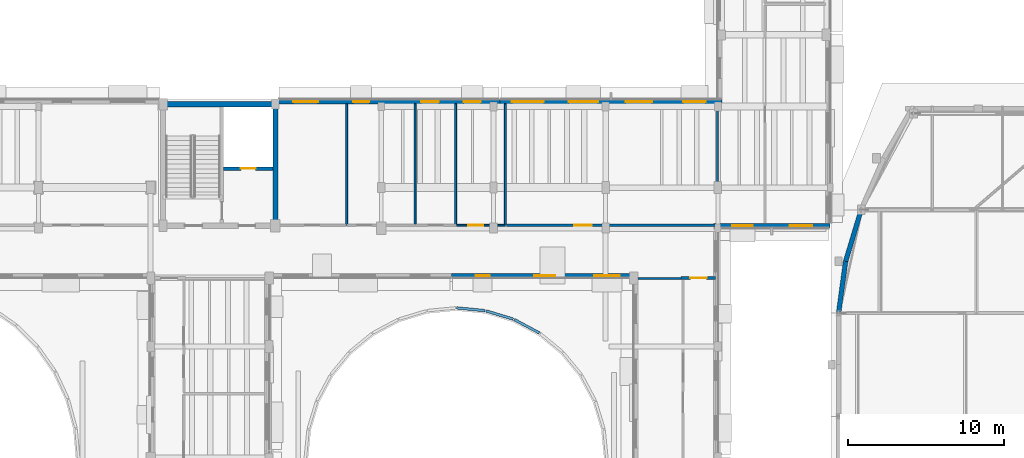
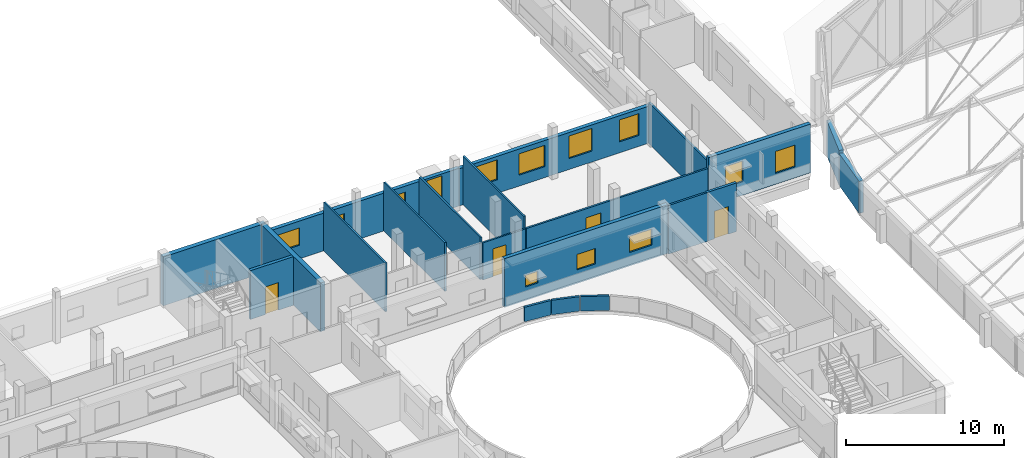
# One storey, part 65 of 78: 21 walls, 13 windows, 4 doors, 17 openings.
"""IFC4 building model written with IfcOpenShell, lengths in metres."""

from ifc_helpers import new_model, si_unit, direction, frame, frame_2d, origin, place, context, subcontext, project, spatial, rectangle, extrude, material, layer, layer_set, type_object, element, fill, save


model = new_model("IFC4")

# Units and contexts
model_context = context("Model", 3, precision=1e-05, world=origin(), true_north=direction((0.0, 1.0)))
body_context = subcontext(model_context, "Body", "Model", "MODEL_VIEW")
ifc_project = project(units=[si_unit("LENGTHUNIT", "METRE"), si_unit("AREAUNIT", "SQUARE_METRE"), si_unit("VOLUMEUNIT", "CUBIC_METRE"), si_unit("PLANEANGLEUNIT", "RADIAN"), si_unit("MASSUNIT", "GRAM", prefix="KILO")], contexts=[model_context])

# Site, building, storey
site_placement = place(None, origin())
site = spatial("IfcSite", under=ifc_project, at=site_placement, CompositionType="ELEMENT")
building_placement = place(site_placement, origin())
building = spatial("IfcBuilding", under=site, at=building_placement, Name="Kelanivale Promenade Academy", CompositionType="ELEMENT")
storey_placement = place(building_placement, frame((0.0, 0.0, 16.199951171875)))
storey = spatial("IfcBuildingStorey", under=building, at=storey_placement, Name="L04", CompositionType="ELEMENT", Elevation=16.199951171875)

# Walls
ifc_material_1 = material(Name="Concrete C40/50", Category="concrete")
ifc_layer_1 = layer(ifc_material_1, 0.330078125)
ifc_layer_set_1 = layer_set([ifc_layer_1], Name="Concrete C40/50")
wall_type_1 = type_object("IfcWallType", Name="CW-S1 Wall 330mm", PredefinedType="SHEAR", material=ifc_layer_set_1)
wall_1_placement = place(storey_placement, frame((79.8349609375, 79.550048828125, 0.0), z_axis=(0.0, 0.0, 1.0), x_axis=(1.0, 0.0, 0.0)))
element("IfcWall", 1, at=wall_1_placement, inside=storey, type_object=wall_type_1, Name="CORE-2 RC shear wall N L04", PredefinedType="SHEAR", context=body_context, shape_type="SweptSolid", body=[
    extrude(rectangle(XDim=7.530029296875, YDim=0.330078125, at=frame_2d((3.76513671875, 0.0))), origin(), (0.0, 0.0, 1.0), 3.780029296875),
])
wall_2_placement = place(storey_placement, frame((87.199951171875, 71.9150390625, 0.0), z_axis=(0.0, 0.0, 1.0), x_axis=(0.0, 1.0, 0.0)))
element("IfcWall", 2, at=wall_2_placement, inside=storey, type_object=wall_type_1, Name="CORE-2 RC shear wall E L04", PredefinedType="SHEAR", context=body_context, shape_type="SweptSolid", body=[
    extrude(rectangle(XDim=7.469970703125, YDim=0.330078125, at=frame_2d((3.73486328125, 0.0))), origin(), (0.0, 0.0, 1.0), 3.780029296875),
])

# Wall, opening, door
ifc_layer_2 = layer(ifc_material_1, 0.22509765625)
ifc_layer_set_2 = layer_set([ifc_layer_2], Name="Concrete C40/50")
wall_type_2 = type_object("IfcWallType", Name="CW-S2 Wall 225mm", PredefinedType="SHEAR", material=ifc_layer_set_2)
wall_3_placement = place(storey_placement, frame((83.885009765625, 75.419921875, 0.0), z_axis=(0.0, 0.0, 1.0), x_axis=(1.0, 0.0, 0.0)))
wall_3 = element("IfcWall", 3, at=wall_3_placement, inside=storey, type_object=wall_type_2, Name="CORE-2 lift shaft front RC wall L04", PredefinedType="SHEAR", context=body_context, shape_type="SweptSolid", body=[
    extrude(rectangle(XDim=3.14990234375, YDim=0.22509765625, at=frame_2d((1.574951171875, 0.0))), origin(), (0.0, 0.0, 1.0), 3.780029296875),
])
opening_1_placement = place(wall_3_placement, frame((1.10009765625, 0.0, 0.0)))
opening_1 = element("IfcOpeningElement", 4, at=opening_1_placement, cuts=wall_3, Name="Opening LD-LF-FF2-L04", PredefinedType="OPENING", context=body_context, shape_type="SweptSolid", body=[
    extrude(rectangle(XDim=0.949951171875, YDim=2.14990234375, at=frame_2d((0.47509765625, 1.074951171875))), frame((0.0, 0.12255859375, 0.0), z_axis=(0.0, -1.0, 0.0), x_axis=(1.0, 0.0, 0.0)), (0.0, 0.0, 1.0), 0.2451171875),
])
ifc_material_2 = material(Name="Fire-rated steel-core teak veneer", Category="steel")
door_type_1 = type_object("IfcDoorType", Name="LD-FF1 Door 950x2150", OperationType="NOTDEFINED", PredefinedType="DOOR", material=ifc_material_2)
door_1_placement = place(opening_1_placement, origin())
door_1 = element("IfcDoor", 5, at=door_1_placement, inside=storey, type_object=door_type_1, Name="Firefighting lift landing door LD-LF-FF2-L04", OperationType="SLIDING_TO_LEFT", OverallHeight=2.14990234375, OverallWidth=0.949951171875, PredefinedType="DOOR", context=body_context, shape_type="SweptSolid", body=[
    extrude(rectangle(XDim=0.949951171875, YDim=2.14990234375, at=frame_2d((0.47509765625, 1.074951171875))), frame((0.0, 0.02490234375, 0.0), z_axis=(0.0, -1.0, 0.0), x_axis=(1.0, 0.0, 0.0)), (0.0, 0.0, 1.0), 0.050048828125),
])
fill(opening_1, door_1)

# Walls
ifc_material_3 = material(Name="Insulated terracotta-clad masonry wall 300 mm", Category="masonry")
ifc_layer_3 = layer(ifc_material_3, 0.300048828125)
ifc_layer_set_3 = layer_set([ifc_layer_3], Name="Insulated terracotta-clad masonry wall 300 mm")
wall_type_3 = type_object("IfcWallType", Name="EW-01 Wall 300mm", PredefinedType="SOLIDWALL", material=ifc_layer_set_3)
wall_4_placement = place(storey_placement, frame((123.800048828125, 69.45703125, 0.0), z_axis=(0.0, 0.0, 1.0), x_axis=(-0.134539839792, -0.990908185206, 0.0)))
element("IfcWall", 6, at=wall_4_placement, inside=storey, type_object=wall_type_3, Name="Assembly Hall Arc Pavilion inner crescent wall L04", PredefinedType="SOLIDWALL", context=body_context, shape_type="SweptSolid", body=[
    extrude(rectangle(XDim=3.344482421875, YDim=0.300048828125, at=frame_2d((1.67236328125, 0.0))), origin(), (0.0, 0.0, 1.0), 2.48095703125),
])
wall_5_placement = place(storey_placement, frame((124.800048828125, 72.77099609375, 0.0), z_axis=(0.0, 0.0, 1.0), x_axis=(-0.288887509039, -0.957363048755, 0.0)))
element("IfcWall", 7, at=wall_5_placement, inside=storey, type_object=wall_type_3, Name="Assembly Hall Arc Pavilion inner crescent wall L04", PredefinedType="SOLIDWALL", context=body_context, shape_type="SweptSolid", body=[
    extrude(rectangle(XDim=3.461669921875, YDim=0.300048828125, at=frame_2d((1.73095703125, 0.0))), origin(), (0.0, 0.0, 1.0), 2.700927734375),
])

# Wall, openings, windows
ifc_material_4 = material(Name="Insulated ivory stucco masonry wall 280 mm", Category="masonry")
ifc_layer_4 = layer(ifc_material_4, 0.280029296875)
ifc_layer_set_4 = layer_set([ifc_layer_4], Name="Insulated ivory stucco masonry wall 280 mm")
wall_type_4 = type_object("IfcWallType", Name="EW-02 Wall 280mm", PredefinedType="SOLIDWALL", material=ifc_layer_set_4)
wall_6_placement = place(storey_placement, frame((98.5, 68.5400390625, 0.0), z_axis=(0.0, 0.0, 1.0), x_axis=(1.0, 0.0, 0.0)))
wall_6 = element("IfcWall", 8, at=wall_6_placement, inside=storey, type_object=wall_type_4, Name="L04 exterior facade wall EW-L04-ORT-0523", PredefinedType="SOLIDWALL", context=body_context, shape_type="SweptSolid", body=[
    extrude(rectangle(XDim=11.97998046875, YDim=0.280029296875, at=frame_2d((5.989990234375, 0.0))), origin(), (0.0, 0.0, 1.0), 3.780029296875),
])
opening_2_placement = place(wall_6_placement, frame((1.547119140625, 0.0, 1.050048828125)))
opening_2 = element("IfcOpeningElement", 9, at=opening_2_placement, cuts=wall_6, Name="Opening WT-10", PredefinedType="OPENING", context=body_context, shape_type="SweptSolid", body=[
    extrude(rectangle(XDim=0.89990234375, YDim=0.89990234375, at=frame_2d((0.449951171875, 0.449951171875))), frame((0.0, 0.14990234375, 0.0), z_axis=(0.0, -1.0, 0.0), x_axis=(1.0, 0.0, 0.0)), (0.0, 0.0, 1.0), 0.300048828125),
])
opening_3_placement = place(wall_6_placement, frame((5.31494140625, 0.0, 1.050048828125)))
opening_3 = element("IfcOpeningElement", 10, at=opening_3_placement, cuts=wall_6, Name="Opening WT-34", PredefinedType="OPENING", context=body_context, shape_type="SweptSolid", body=[
    extrude(rectangle(XDim=1.35009765625, YDim=1.199951171875, at=frame_2d((0.675048828125, 0.60009765625))), frame((0.0, 0.14990234375, 0.0), z_axis=(0.0, -1.0, 0.0), x_axis=(1.0, 0.0, 0.0)), (0.0, 0.0, 1.0), 0.300048828125),
])
opening_4_placement = place(wall_6_placement, frame((9.157958984375, 0.0, 1.050048828125)))
opening_4 = element("IfcOpeningElement", 11, at=opening_4_placement, cuts=wall_6, Name="Opening WT-35", PredefinedType="OPENING", context=body_context, shape_type="SweptSolid", body=[
    extrude(rectangle(XDim=1.64990234375, YDim=1.25, at=frame_2d((0.824951171875, 0.625))), frame((0.0, 0.14990234375, 0.0), z_axis=(0.0, -1.0, 0.0), x_axis=(1.0, 0.0, 0.0)), (0.0, 0.0, 1.0), 0.300048828125),
])
ifc_material_5 = material(Name="Bronze anodised aluminium frame with low-E laminated glass", Category="aluminium")
window_type_1 = type_object("IfcWindowType", Name="WT-10 Window 900x900", PartitioningType="SINGLE_PANEL", PredefinedType="WINDOW", material=ifc_material_5)
window_1_placement = place(opening_2_placement, origin())
window_1 = element("IfcWindow", 12, at=window_1_placement, inside=storey, type_object=window_type_1, Name="Window WT-10", OverallHeight=0.89990234375, OverallWidth=0.89990234375, PartitioningType="SINGLE_PANEL", PredefinedType="WINDOW", context=body_context, shape_type="SweptSolid", body=[
    extrude(rectangle(XDim=0.89990234375, YDim=0.89990234375, at=frame_2d((0.449951171875, 0.449951171875))), frame((0.0, 0.030029296875, 0.0), z_axis=(0.0, -1.0, 0.0), x_axis=(1.0, 0.0, 0.0)), (0.0, 0.0, 1.0), 0.06005859375),
])
fill(opening_2, window_1)
window_type_2 = type_object("IfcWindowType", Name="WT-34 Window 1350x1200", PartitioningType="SINGLE_PANEL", PredefinedType="WINDOW", material=ifc_material_5)
window_2_placement = place(opening_3_placement, origin())
window_2 = element("IfcWindow", 13, at=window_2_placement, inside=storey, type_object=window_type_2, Name="Window WT-34", OverallHeight=1.199951171875, OverallWidth=1.35009765625, PartitioningType="SINGLE_PANEL", PredefinedType="WINDOW", context=body_context, shape_type="SweptSolid", body=[
    extrude(rectangle(XDim=1.35009765625, YDim=1.199951171875, at=frame_2d((0.675048828125, 0.60009765625))), frame((0.0, 0.030029296875, 0.0), z_axis=(0.0, -1.0, 0.0), x_axis=(1.0, 0.0, 0.0)), (0.0, 0.0, 1.0), 0.06005859375),
])
fill(opening_3, window_2)
window_type_3 = type_object("IfcWindowType", Name="WT-35 Window 1650x1250", PartitioningType="SINGLE_PANEL", PredefinedType="WINDOW", material=ifc_material_5)
window_3_placement = place(opening_4_placement, origin())
window_3 = element("IfcWindow", 14, at=window_3_placement, inside=storey, type_object=window_type_3, Name="Window WT-35", OverallHeight=1.25, OverallWidth=1.64990234375, PartitioningType="SINGLE_PANEL", PredefinedType="WINDOW", context=body_context, shape_type="SweptSolid", body=[
    extrude(rectangle(XDim=1.64990234375, YDim=1.25, at=frame_2d((0.824951171875, 0.625))), frame((0.0, 0.030029296875, 0.0), z_axis=(0.0, -1.0, 0.0), x_axis=(1.0, 0.0, 0.0)), (0.0, 0.0, 1.0), 0.06005859375),
])
fill(opening_4, window_3)

wall_7_placement = place(storey_placement, frame((115.320068359375, 71.739990234375, 0.0), z_axis=(0.0, 0.0, 1.0), x_axis=(1.0, 0.0, 0.0)))
wall_7 = element("IfcWall", 15, at=wall_7_placement, inside=storey, type_object=wall_type_4, Name="L04 exterior facade wall EW-L04-ORT-0530", PredefinedType="SOLIDWALL", context=body_context, shape_type="SweptSolid", body=[
    extrude(rectangle(XDim=7.47998046875, YDim=0.280029296875, at=frame_2d((3.739990234375, 0.0))), origin(), (0.0, 0.0, 1.0), 3.780029296875),
])
opening_5_placement = place(wall_7_placement, frame((1.219970703125, 0.0, 1.050048828125)))
opening_5 = element("IfcOpeningElement", 16, at=opening_5_placement, cuts=wall_7, Name="Opening WT-23", PredefinedType="OPENING", context=body_context, shape_type="SweptSolid", body=[
    extrude(rectangle(XDim=1.300048828125, YDim=1.60009765625, at=frame_2d((0.64990234375, 0.800048828125))), frame((0.0, 0.14990234375, 0.0), z_axis=(0.0, -1.0, 0.0), x_axis=(1.0, 0.0, 0.0)), (0.0, 0.0, 1.0), 0.300048828125),
])
opening_6_placement = place(wall_7_placement, frame((4.885009765625, 0.0, 0.85009765625)))
opening_6 = element("IfcOpeningElement", 17, at=opening_6_placement, cuts=wall_7, Name="Opening WT-24", PredefinedType="OPENING", context=body_context, shape_type="SweptSolid", body=[
    extrude(rectangle(XDim=1.449951171875, YDim=1.699951171875, at=frame_2d((0.72509765625, 0.85009765625))), frame((0.0, 0.14990234375, 0.0), z_axis=(0.0, -1.0, 0.0), x_axis=(1.0, 0.0, 0.0)), (0.0, 0.0, 1.0), 0.300048828125),
])
window_type_4 = type_object("IfcWindowType", Name="WT-23 Window 1300x1600", PartitioningType="SINGLE_PANEL", PredefinedType="WINDOW", material=ifc_material_5)
window_4_placement = place(opening_5_placement, origin())
window_4 = element("IfcWindow", 18, at=window_4_placement, inside=storey, type_object=window_type_4, Name="Window WT-23", OverallHeight=1.60009765625, OverallWidth=1.300048828125, PartitioningType="SINGLE_PANEL", PredefinedType="WINDOW", context=body_context, shape_type="SweptSolid", body=[
    extrude(rectangle(XDim=1.300048828125, YDim=1.60009765625, at=frame_2d((0.64990234375, 0.800048828125))), frame((0.0, 0.030029296875, 0.0), z_axis=(0.0, -1.0, 0.0), x_axis=(1.0, 0.0, 0.0)), (0.0, 0.0, 1.0), 0.06005859375),
])
fill(opening_5, window_4)
window_type_5 = type_object("IfcWindowType", Name="WT-24 Window 1450x1700", PartitioningType="SINGLE_PANEL", PredefinedType="WINDOW", material=ifc_material_5)
window_5_placement = place(opening_6_placement, origin())
window_5 = element("IfcWindow", 19, at=window_5_placement, inside=storey, type_object=window_type_5, Name="Window WT-24", OverallHeight=1.699951171875, OverallWidth=1.449951171875, PartitioningType="SINGLE_PANEL", PredefinedType="WINDOW", context=body_context, shape_type="SweptSolid", body=[
    extrude(rectangle(XDim=1.449951171875, YDim=1.699951171875, at=frame_2d((0.72509765625, 0.85009765625))), frame((0.0, 0.030029296875, 0.0), z_axis=(0.0, -1.0, 0.0), x_axis=(1.0, 0.0, 0.0)), (0.0, 0.0, 1.0), 0.06005859375),
])
fill(opening_6, window_5)

wall_8_placement = place(storey_placement, frame((115.8798828125, 79.7099609375, 0.0), z_axis=(0.0, 0.0, 1.0), x_axis=(-1.0, 0.0, 0.0)))
wall_8 = element("IfcWall", 20, at=wall_8_placement, inside=storey, type_object=wall_type_4, Name="L04 exterior facade wall EW-L04-ORT-0542", PredefinedType="SOLIDWALL", context=body_context, shape_type="SweptSolid", body=[
    extrude(rectangle(XDim=14.2568359375, YDim=0.280029296875, at=frame_2d((7.12841796875, 0.0))), origin(), (0.0, 0.0, 1.0), 2.875),
])
opening_7_placement = place(wall_8_placement, frame((1.056884765625, 0.0, 0.85009765625)))
opening_7 = element("IfcOpeningElement", 21, at=opening_7_placement, cuts=wall_8, Name="Opening WT-24", PredefinedType="OPENING", context=body_context, shape_type="SweptSolid", body=[
    extrude(rectangle(XDim=1.449951171875, YDim=1.699951171875, at=frame_2d((0.72509765625, 0.85009765625))), frame((0.0, 0.14990234375, 0.0), z_axis=(0.0, -1.0, 0.0), x_axis=(1.0, 0.0, 0.0)), (0.0, 0.0, 1.0), 0.300048828125),
])
opening_8_placement = place(wall_8_placement, frame((4.49609375, 0.0, 0.85009765625)))
opening_8 = element("IfcOpeningElement", 22, at=opening_8_placement, cuts=wall_8, Name="Opening WT-25", PredefinedType="OPENING", context=body_context, shape_type="SweptSolid", body=[
    extrude(rectangle(XDim=1.699951171875, YDim=1.75, at=frame_2d((0.85009765625, 0.875))), frame((0.0, 0.14990234375, 0.0), z_axis=(0.0, -1.0, 0.0), x_axis=(1.0, 0.0, 0.0)), (0.0, 0.0, 1.0), 0.300048828125),
])
opening_9_placement = place(wall_8_placement, frame((7.9609375, 0.0, 0.85009765625)))
opening_9 = element("IfcOpeningElement", 23, at=opening_9_placement, cuts=wall_8, Name="Opening WT-26", PredefinedType="OPENING", context=body_context, shape_type="SweptSolid", body=[
    extrude(rectangle(XDim=1.89990234375, YDim=1.64990234375, at=frame_2d((0.949951171875, 0.824951171875))), frame((0.0, 0.14990234375, 0.0), z_axis=(0.0, -1.0, 0.0), x_axis=(1.0, 0.0, 0.0)), (0.0, 0.0, 1.0), 0.300048828125),
])
opening_10_placement = place(wall_8_placement, frame((11.449951171875, 0.0, 1.050048828125)))
opening_10 = element("IfcOpeningElement", 24, at=opening_10_placement, cuts=wall_8, Name="Opening WT-27", PredefinedType="OPENING", context=body_context, shape_type="SweptSolid", body=[
    extrude(rectangle(XDim=2.050048828125, YDim=1.550048828125, at=frame_2d((1.02490234375, 0.77490234375))), frame((0.0, 0.14990234375, 0.0), z_axis=(0.0, -1.0, 0.0), x_axis=(1.0, 0.0, 0.0)), (0.0, 0.0, 1.0), 0.300048828125),
])
window_6_placement = place(opening_7_placement, origin())
window_6 = element("IfcWindow", 25, at=window_6_placement, inside=storey, type_object=window_type_5, Name="Window WT-24", OverallHeight=1.699951171875, OverallWidth=1.449951171875, PartitioningType="SINGLE_PANEL", PredefinedType="WINDOW", context=body_context, shape_type="SweptSolid", body=[
    extrude(rectangle(XDim=1.449951171875, YDim=1.699951171875, at=frame_2d((0.72509765625, 0.85009765625))), frame((0.0, 0.030029296875, 0.0), z_axis=(0.0, -1.0, 0.0), x_axis=(1.0, 0.0, 0.0)), (0.0, 0.0, 1.0), 0.06005859375),
])
fill(opening_7, window_6)
window_type_6 = type_object("IfcWindowType", Name="WT-25 Window 1700x1750", PartitioningType="SINGLE_PANEL", PredefinedType="WINDOW", material=ifc_material_5)
window_7_placement = place(opening_8_placement, origin())
window_7 = element("IfcWindow", 26, at=window_7_placement, inside=storey, type_object=window_type_6, Name="Window WT-25", OverallHeight=1.75, OverallWidth=1.699951171875, PartitioningType="SINGLE_PANEL", PredefinedType="WINDOW", context=body_context, shape_type="SweptSolid", body=[
    extrude(rectangle(XDim=1.699951171875, YDim=1.75, at=frame_2d((0.85009765625, 0.875))), frame((0.0, 0.030029296875, 0.0), z_axis=(0.0, -1.0, 0.0), x_axis=(1.0, 0.0, 0.0)), (0.0, 0.0, 1.0), 0.06005859375),
])
fill(opening_8, window_7)
window_type_7 = type_object("IfcWindowType", Name="WT-26 Window 1900x1650", PartitioningType="SINGLE_PANEL", PredefinedType="WINDOW", material=ifc_material_5)
window_8_placement = place(opening_9_placement, origin())
window_8 = element("IfcWindow", 27, at=window_8_placement, inside=storey, type_object=window_type_7, Name="Window WT-26", OverallHeight=1.64990234375, OverallWidth=1.89990234375, PartitioningType="SINGLE_PANEL", PredefinedType="WINDOW", context=body_context, shape_type="SweptSolid", body=[
    extrude(rectangle(XDim=1.89990234375, YDim=1.64990234375, at=frame_2d((0.949951171875, 0.824951171875))), frame((0.0, 0.030029296875, 0.0), z_axis=(0.0, -1.0, 0.0), x_axis=(1.0, 0.0, 0.0)), (0.0, 0.0, 1.0), 0.06005859375),
])
fill(opening_9, window_8)
window_type_8 = type_object("IfcWindowType", Name="WT-27 Window 2050x1550", PartitioningType="SINGLE_PANEL", PredefinedType="WINDOW", material=ifc_material_5)
window_9_placement = place(opening_10_placement, origin())
window_9 = element("IfcWindow", 28, at=window_9_placement, inside=storey, type_object=window_type_8, Name="Window WT-27", OverallHeight=1.550048828125, OverallWidth=2.050048828125, PartitioningType="SINGLE_PANEL", PredefinedType="WINDOW", context=body_context, shape_type="SweptSolid", body=[
    extrude(rectangle(XDim=2.050048828125, YDim=1.550048828125, at=frame_2d((1.02490234375, 0.77490234375))), frame((0.0, 0.030029296875, 0.0), z_axis=(0.0, -1.0, 0.0), x_axis=(1.0, 0.0, 0.0)), (0.0, 0.0, 1.0), 0.06005859375),
])
fill(opening_10, window_9)

wall_9_placement = place(storey_placement, frame((101.623046875, 79.7099609375, 0.0), z_axis=(0.0, 0.0, 1.0), x_axis=(-1.0, 0.0, 0.0)))
wall_9 = element("IfcWall", 29, at=wall_9_placement, inside=storey, type_object=wall_type_4, Name="L04 exterior facade wall EW-L04-ORT-0543", PredefinedType="SOLIDWALL", context=body_context, shape_type="SweptSolid", body=[
    extrude(rectangle(XDim=14.258056640625, YDim=0.280029296875, at=frame_2d((7.12890625, 0.0))), origin(), (0.0, 0.0, 1.0), 2.925048828125),
])
opening_11_placement = place(wall_9_placement, frame((1.23193359375, 0.0, 0.68505859375)))
opening_11 = element("IfcOpeningElement", 30, at=opening_11_placement, cuts=wall_9, Name="Opening WT-17", PredefinedType="OPENING", context=body_context, shape_type="SweptSolid", body=[
    extrude(rectangle(XDim=1.10009765625, YDim=2.10009765625, at=frame_2d((0.550048828125, 1.050048828125))), frame((0.0, 0.14990234375, 0.0), z_axis=(0.0, -1.0, 0.0), x_axis=(1.0, 0.0, 0.0)), (0.0, 0.0, 1.0), 0.300048828125),
])
opening_12_placement = place(wall_9_placement, frame((3.922119140625, 0.0, 1.050048828125)))
opening_12 = element("IfcOpeningElement", 31, at=opening_12_placement, cuts=wall_9, Name="Opening WT-29", PredefinedType="OPENING", context=body_context, shape_type="SweptSolid", body=[
    extrude(rectangle(XDim=1.14990234375, YDim=1.39990234375, at=frame_2d((0.574951171875, 0.699951171875))), frame((0.0, 0.14990234375, 0.0), z_axis=(0.0, -1.0, 0.0), x_axis=(1.0, 0.0, 0.0)), (0.0, 0.0, 1.0), 0.300048828125),
])
opening_13_placement = place(wall_9_placement, frame((8.385986328125, 0.0, 1.050048828125)))
opening_13 = element("IfcOpeningElement", 32, at=opening_13_placement, cuts=wall_9, Name="Opening WT-30", PredefinedType="OPENING", context=body_context, shape_type="SweptSolid", body=[
    extrude(rectangle(XDim=1.050048828125, YDim=1.300048828125, at=frame_2d((0.52490234375, 0.64990234375))), frame((0.0, 0.14990234375, 0.0), z_axis=(0.0, -1.0, 0.0), x_axis=(1.0, 0.0, 0.0)), (0.0, 0.0, 1.0), 0.300048828125),
])
opening_14_placement = place(wall_9_placement, frame((11.676025390625, 0.0, 1.050048828125)))
opening_14 = element("IfcOpeningElement", 33, at=opening_14_placement, cuts=wall_9, Name="Opening WT-07", PredefinedType="OPENING", context=body_context, shape_type="SweptSolid", body=[
    extrude(rectangle(XDim=1.60009765625, YDim=1.35009765625, at=frame_2d((0.800048828125, 0.675048828125))), frame((0.0, 0.14990234375, 0.0), z_axis=(0.0, -1.0, 0.0), x_axis=(1.0, 0.0, 0.0)), (0.0, 0.0, 1.0), 0.300048828125),
])
window_type_9 = type_object("IfcWindowType", Name="WT-07 Window 1600x1350", PartitioningType="SINGLE_PANEL", PredefinedType="WINDOW", material=ifc_material_5)
window_10_placement = place(opening_14_placement, origin())
window_10 = element("IfcWindow", 34, at=window_10_placement, inside=storey, type_object=window_type_9, Name="Window WT-07", OverallHeight=1.35009765625, OverallWidth=1.60009765625, PartitioningType="SINGLE_PANEL", PredefinedType="WINDOW", context=body_context, shape_type="SweptSolid", body=[
    extrude(rectangle(XDim=1.60009765625, YDim=1.35009765625, at=frame_2d((0.800048828125, 0.675048828125))), frame((0.0, 0.030029296875, 0.0), z_axis=(0.0, -1.0, 0.0), x_axis=(1.0, 0.0, 0.0)), (0.0, 0.0, 1.0), 0.06005859375),
])
fill(opening_14, window_10)
window_type_10 = type_object("IfcWindowType", Name="WT-17 Window 1100x2100", PartitioningType="SINGLE_PANEL", PredefinedType="WINDOW", material=ifc_material_5)
window_11_placement = place(opening_11_placement, origin())
window_11 = element("IfcWindow", 35, at=window_11_placement, inside=storey, type_object=window_type_10, Name="Window WT-17", OverallHeight=2.10009765625, OverallWidth=1.10009765625, PartitioningType="SINGLE_PANEL", PredefinedType="WINDOW", context=body_context, shape_type="SweptSolid", body=[
    extrude(rectangle(XDim=1.10009765625, YDim=2.10009765625, at=frame_2d((0.550048828125, 1.050048828125))), frame((0.0, 0.030029296875, 0.0), z_axis=(0.0, -1.0, 0.0), x_axis=(1.0, 0.0, 0.0)), (0.0, 0.0, 1.0), 0.06005859375),
])
fill(opening_11, window_11)
window_type_11 = type_object("IfcWindowType", Name="WT-29 Window 1150x1400", PartitioningType="SINGLE_PANEL", PredefinedType="WINDOW", material=ifc_material_5)
window_12_placement = place(opening_12_placement, origin())
window_12 = element("IfcWindow", 36, at=window_12_placement, inside=storey, type_object=window_type_11, Name="Window WT-29", OverallHeight=1.39990234375, OverallWidth=1.14990234375, PartitioningType="SINGLE_PANEL", PredefinedType="WINDOW", context=body_context, shape_type="SweptSolid", body=[
    extrude(rectangle(XDim=1.14990234375, YDim=1.39990234375, at=frame_2d((0.574951171875, 0.699951171875))), frame((0.0, 0.030029296875, 0.0), z_axis=(0.0, -1.0, 0.0), x_axis=(1.0, 0.0, 0.0)), (0.0, 0.0, 1.0), 0.06005859375),
])
fill(opening_12, window_12)
window_type_12 = type_object("IfcWindowType", Name="WT-30 Window 1050x1300", PartitioningType="SINGLE_PANEL", PredefinedType="WINDOW", material=ifc_material_5)
window_13_placement = place(opening_13_placement, origin())
window_13 = element("IfcWindow", 37, at=window_13_placement, inside=storey, type_object=window_type_12, Name="Window WT-30", OverallHeight=1.300048828125, OverallWidth=1.050048828125, PartitioningType="SINGLE_PANEL", PredefinedType="WINDOW", context=body_context, shape_type="SweptSolid", body=[
    extrude(rectangle(XDim=1.050048828125, YDim=1.300048828125, at=frame_2d((0.52490234375, 0.64990234375))), frame((0.0, 0.030029296875, 0.0), z_axis=(0.0, -1.0, 0.0), x_axis=(1.0, 0.0, 0.0)), (0.0, 0.0, 1.0), 0.06005859375),
])
fill(opening_13, window_13)

# Wall, opening, door
ifc_material_6 = material(Name="Autoclaved masonry blockwork 180 mm", Category="masonry")
ifc_layer_5 = layer(ifc_material_6, 0.179931640625)
ifc_layer_set_5 = layer_set([ifc_layer_5], Name="Autoclaved masonry blockwork 180 mm")
wall_type_5 = type_object("IfcWallType", Name="IW-02 Wall 180mm", PredefinedType="PARTITIONING", material=ifc_layer_set_5)
wall_10_placement = place(storey_placement, frame((113.25, 68.39990234375, 0.0), z_axis=(0.0, 0.0, 1.0), x_axis=(1.0, 0.0, 0.0)))
wall_10 = element("IfcWall", 38, at=wall_10_placement, inside=storey, type_object=wall_type_5, Name="L04 cross-corridor fire wall", PredefinedType="PARTITIONING", context=body_context, shape_type="SweptSolid", body=[
    extrude(rectangle(XDim=2.208984375, YDim=0.179931640625, at=frame_2d((1.1044921875, 0.0))), origin(), (0.0, 0.0, 1.0), 3.780029296875),
])
opening_15_placement = place(wall_10_placement, frame((0.580078125, 0.0, 0.0)))
opening_15 = element("IfcOpeningElement", 39, at=opening_15_placement, cuts=wall_10, Name="Opening FD-L04-CC-175", PredefinedType="OPENING", context=body_context, shape_type="SweptSolid", body=[
    extrude(rectangle(XDim=1.050048828125, YDim=2.14990234375, at=frame_2d((0.52490234375, 1.074951171875))), frame((0.0, 0.10009765625, 0.0), z_axis=(0.0, -1.0, 0.0), x_axis=(1.0, 0.0, 0.0)), (0.0, 0.0, 1.0), 0.199951171875),
])
door_type_2 = type_object("IfcDoorType", Name="DT-F03 Door 1050x2150", OperationType="NOTDEFINED", PredefinedType="DOOR", material=ifc_material_2)
door_2_placement = place(opening_15_placement, origin())
door_2 = element("IfcDoor", 40, at=door_2_placement, inside=storey, type_object=door_type_2, Name="L04 cross-corridor fire door FD-L04-CC-175", OperationType="SINGLE_SWING_RIGHT", OverallHeight=2.14990234375, OverallWidth=1.050048828125, PredefinedType="DOOR", context=body_context, shape_type="SweptSolid", body=[
    extrude(rectangle(XDim=1.050048828125, YDim=2.14990234375, at=frame_2d((0.52490234375, 1.074951171875))), frame((0.0, 0.02490234375, 0.0), z_axis=(0.0, -1.0, 0.0), x_axis=(1.0, 0.0, 0.0)), (0.0, 0.0, 1.0), 0.050048828125),
])
fill(opening_15, door_2)

# Walls
ifc_material_7 = material(Name="Acoustic double-stud gypsum board partition 140 mm", Category="masonry")
ifc_layer_6 = layer(ifc_material_7, 0.139892578125)
ifc_layer_set_6 = layer_set([ifc_layer_6], Name="Acoustic double-stud gypsum board partition 140 mm")
wall_type_6 = type_object("IfcWallType", Name="IW-04 Wall 140mm", PredefinedType="PARTITIONING", material=ifc_layer_set_6)
wall_11_placement = place(storey_placement, frame((113.3701171875, 68.3701171875, 0.0), z_axis=(0.0, 0.0, 1.0), x_axis=(-1.0, 0.0, 0.0)))
element("IfcWall", 41, at=wall_11_placement, inside=storey, type_object=wall_type_6, Name="L04 partition Senior Debating Seminar Room", PredefinedType="PARTITIONING", context=body_context, shape_type="SweptSolid", body=[
    extrude(rectangle(XDim=2.89208984375, YDim=0.139892578125, at=frame_2d((1.446044921875, 0.0))), origin(), (0.0, 0.0, 1.0), 3.775146484375),
])
wall_12_placement = place(storey_placement, frame((115.570068359375, 71.8779296875, 0.0), z_axis=(0.0, 0.0, 1.0), x_axis=(0.0, 1.0, 0.0)))
element("IfcWall", 42, at=wall_12_placement, inside=storey, type_object=wall_type_6, Name="L04 partition Robotics Workshop", PredefinedType="PARTITIONING", context=body_context, shape_type="SweptSolid", body=[
    extrude(rectangle(XDim=7.694091796875, YDim=0.139892578125, at=frame_2d((3.84716796875, 0.0))), origin(), (0.0, 0.0, 1.0), 3.175048828125),
])

# Wall, opening, door
wall_13_placement = place(storey_placement, frame((102.030029296875, 71.780029296875, 0.0), z_axis=(0.0, 0.0, 1.0), x_axis=(1.0, 0.0, 0.0)))
wall_13 = element("IfcWall", 43, at=wall_13_placement, inside=storey, type_object=wall_type_6, Name="L04 partition Robotics Workshop", PredefinedType="PARTITIONING", context=body_context, shape_type="SweptSolid", body=[
    extrude(rectangle(XDim=13.5400390625, YDim=0.139892578125, at=frame_2d((6.77001953125, 0.0))), origin(), (0.0, 0.0, 1.0), 2.875),
])
opening_16_placement = place(wall_13_placement, frame((4.346923828125, 0.0, 0.0)))
opening_16 = element("IfcOpeningElement", 44, at=opening_16_placement, cuts=wall_13, Name="Opening ID-L04-189", PredefinedType="OPENING", context=body_context, shape_type="SweptSolid", body=[
    extrude(rectangle(XDim=1.1201171875, YDim=2.179931640625, at=frame_2d((0.56005859375, 1.08984375))), frame((0.0, 0.080078125, 0.0), z_axis=(0.0, -1.0, 0.0), x_axis=(1.0, 0.0, 0.0)), (0.0, 0.0, 1.0), 0.159912109375),
])
ifc_material_8 = material(Name="Solid-core tropical teak timber", Category="wood")
door_type_3 = type_object("IfcDoorType", Name="DT-I17 Door 1120x2180", OperationType="NOTDEFINED", PredefinedType="DOOR", material=ifc_material_8)
door_3_placement = place(opening_16_placement, origin())
door_3 = element("IfcDoor", 45, at=door_3_placement, inside=storey, type_object=door_type_3, Name="Robotics Workshop door ID-L04-189", OperationType="SINGLE_SWING_LEFT", OverallHeight=2.179931640625, OverallWidth=1.1201171875, PredefinedType="DOOR", context=body_context, shape_type="SweptSolid", body=[
    extrude(rectangle(XDim=1.1201171875, YDim=2.179931640625, at=frame_2d((0.56005859375, 1.08984375))), frame((0.0, 0.02490234375, 0.0), z_axis=(0.0, -1.0, 0.0), x_axis=(1.0, 0.0, 0.0)), (0.0, 0.0, 1.0), 0.050048828125),
])
fill(opening_16, door_3)

# Walls
ifc_material_9 = material(Name="Moisture-resistant masonry wet-room partition 125 mm", Category="masonry")
ifc_layer_7 = layer(ifc_material_9, 0.125)
ifc_layer_set_7 = layer_set([ifc_layer_7], Name="Moisture-resistant masonry wet-room partition 125 mm")
wall_type_7 = type_object("IfcWallType", Name="IW-05 Wall 125mm", PredefinedType="PARTITIONING", material=ifc_layer_set_7)
wall_14_placement = place(storey_placement, frame((91.77001953125, 71.780029296875, 0.0), z_axis=(0.0, 0.0, 1.0), x_axis=(0.0, 1.0, 0.0)))
element("IfcWall", 46, at=wall_14_placement, inside=storey, type_object=wall_type_7, Name="L04 partition Boys Washroom", PredefinedType="PARTITIONING", context=body_context, shape_type="SweptSolid", body=[
    extrude(rectangle(XDim=7.7919921875, YDim=0.125, at=frame_2d((3.89599609375, 0.0))), origin(), (0.0, 0.0, 1.0), 3.775146484375),
])
wall_15_placement = place(storey_placement, frame((96.169921875, 71.841064453125, 0.0), z_axis=(0.0, 0.0, 1.0), x_axis=(0.0, 1.0, 0.0)))
element("IfcWall", 47, at=wall_15_placement, inside=storey, type_object=wall_type_7, Name="L04 partition Girls Washroom", PredefinedType="PARTITIONING", context=body_context, shape_type="SweptSolid", body=[
    extrude(rectangle(XDim=7.73095703125, YDim=0.125, at=frame_2d((3.865478515625, 0.0))), origin(), (0.0, 0.0, 1.0), 3.775146484375),
])
wall_16_placement = place(storey_placement, frame((98.77001953125, 71.841064453125, 0.0), z_axis=(0.0, 0.0, 1.0), x_axis=(0.0, 1.0, 0.0)))
element("IfcWall", 48, at=wall_16_placement, inside=storey, type_object=wall_type_7, Name="L04 partition Staff Washroom", PredefinedType="PARTITIONING", context=body_context, shape_type="SweptSolid", body=[
    extrude(rectangle(XDim=7.73095703125, YDim=0.125, at=frame_2d((3.865478515625, 0.0))), origin(), (0.0, 0.0, 1.0), 3.275146484375),
])

# Wall, opening, door
wall_17_placement = place(storey_placement, frame((98.830078125, 71.780029296875, 0.0), z_axis=(0.0, 0.0, 1.0), x_axis=(1.0, 0.0, 0.0)))
wall_17 = element("IfcWall", 49, at=wall_17_placement, inside=storey, type_object=wall_type_7, Name="L04 partition Wheelchair Accessible WC", PredefinedType="PARTITIONING", context=body_context, shape_type="SweptSolid", body=[
    extrude(rectangle(XDim=3.139892578125, YDim=0.125, at=frame_2d((1.56982421875, 0.0))), origin(), (0.0, 0.0, 1.0), 2.875),
])
opening_17_placement = place(wall_17_placement, frame((0.76708984375, 0.0, 0.0)))
opening_17 = element("IfcOpeningElement", 50, at=opening_17_placement, cuts=wall_17, Name="Opening ID-L04-188", PredefinedType="OPENING", context=body_context, shape_type="SweptSolid", body=[
    extrude(rectangle(XDim=0.949951171875, YDim=2.14990234375, at=frame_2d((0.47509765625, 1.074951171875))), frame((0.0, 0.072509765625, 0.0), z_axis=(0.0, -1.0, 0.0), x_axis=(1.0, 0.0, 0.0)), (0.0, 0.0, 1.0), 0.14501953125),
])
door_type_4 = type_object("IfcDoorType", Name="DT-I05 Door 950x2150", OperationType="NOTDEFINED", PredefinedType="DOOR", material=ifc_material_8)
door_4_placement = place(opening_17_placement, frame((0.949951171875, 0.0, 0.0), z_axis=(0.0, 0.0, 1.0), x_axis=(-1.0, 0.0, 0.0)))
door_4 = element("IfcDoor", 51, at=door_4_placement, inside=storey, type_object=door_type_4, Name="Wheelchair Accessible WC door ID-L04-188", OperationType="SINGLE_SWING_RIGHT", OverallHeight=2.14990234375, OverallWidth=0.949951171875, PredefinedType="DOOR", context=body_context, shape_type="SweptSolid", body=[
    extrude(rectangle(XDim=0.949951171875, YDim=2.14990234375, at=frame_2d((0.47509765625, 1.074951171875))), frame((0.0, 0.02490234375, 0.0), z_axis=(0.0, -1.0, 0.0), x_axis=(1.0, 0.0, 0.0)), (0.0, 0.0, 1.0), 0.050048828125),
])
fill(opening_17, door_4)

# Walls
wall_18_placement = place(storey_placement, frame((101.969970703125, 71.841064453125, 0.0), z_axis=(0.0, 0.0, 1.0), x_axis=(0.0, 1.0, 0.0)))
element("IfcWall", 52, at=wall_18_placement, inside=storey, type_object=wall_type_7, Name="L04 partition Wheelchair Accessible WC", PredefinedType="PARTITIONING", context=body_context, shape_type="SweptSolid", body=[
    extrude(rectangle(XDim=7.73095703125, YDim=0.125, at=frame_2d((3.865478515625, 0.0))), origin(), (0.0, 0.0, 1.0), 3.775146484375),
])
ifc_material_10 = material(Name="Precast concrete C40/50", Category="concrete")
ifc_layer_8 = layer(ifc_material_10, 0.1650390625)
ifc_layer_set_8 = layer_set([ifc_layer_8], Name="Precast concrete C40/50")
wall_type_8 = type_object("IfcWallType", Name="PW-02 Wall 165mm", PredefinedType="PARAPET", material=ifc_layer_set_8)
for number, where, z_axis, x_axis, name in (
    (53, (104.14306640625, 64.867919921875, 0.0), (0.0, 0.0, 1.0), (-0.882185622679, 0.470901823248, 0.0), "L04 open courtyard roof parapet PW-02"),
    (54, (102.466064453125, 65.7548828125, 0.0), (0.0, 0.0, 1.0), (-0.957050376699, 0.289921672975, 0.0), "L04 open courtyard roof parapet PW-02"),
):
    element("IfcWall", number, at=place(storey_placement, frame(where, z_axis=z_axis, x_axis=x_axis)), inside=storey, type_object=wall_type_8, Name=name, PredefinedType="PARAPET", context=body_context, shape_type="SweptSolid", body=[
        extrude(rectangle(XDim=1.818115234375, YDim=0.1650390625, at=frame_2d((0.9091796875, 0.0))), origin(), (0.0, 0.0, 1.0), 1.1201171875),
    ])
wall_19_placement = place(storey_placement, frame((100.64794921875, 66.298095703125, 0.0), z_axis=(0.0, 0.0, 1.0), x_axis=(-0.995189036663, 0.097973370389, 0.0)))
element("IfcWall", 55, at=wall_19_placement, inside=storey, type_object=wall_type_8, Name="L04 open courtyard roof parapet PW-02", PredefinedType="PARAPET", context=body_context, shape_type="SweptSolid", body=[
    extrude(rectangle(XDim=1.816650390625, YDim=0.1650390625, at=frame_2d((0.908203125, 0.0))), origin(), (0.0, 0.0, 1.0), 1.1201171875),
])

save(model, "model.ifc")
